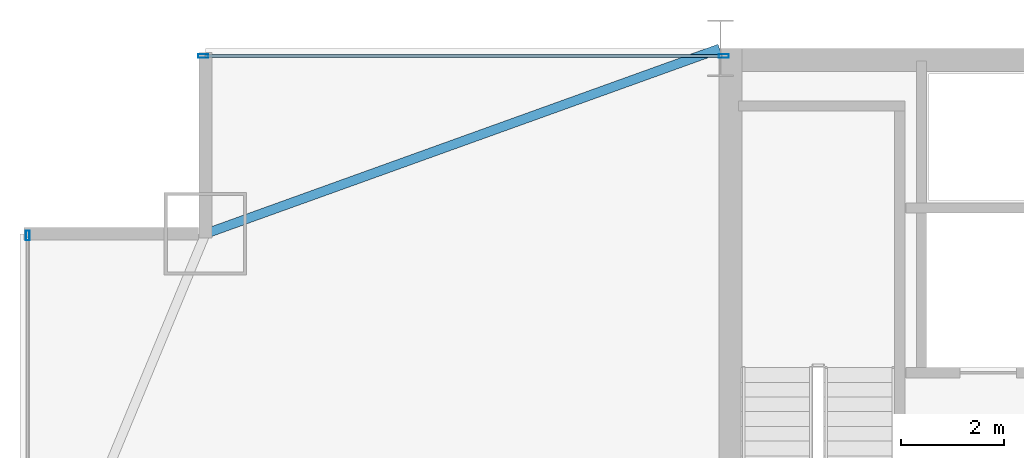
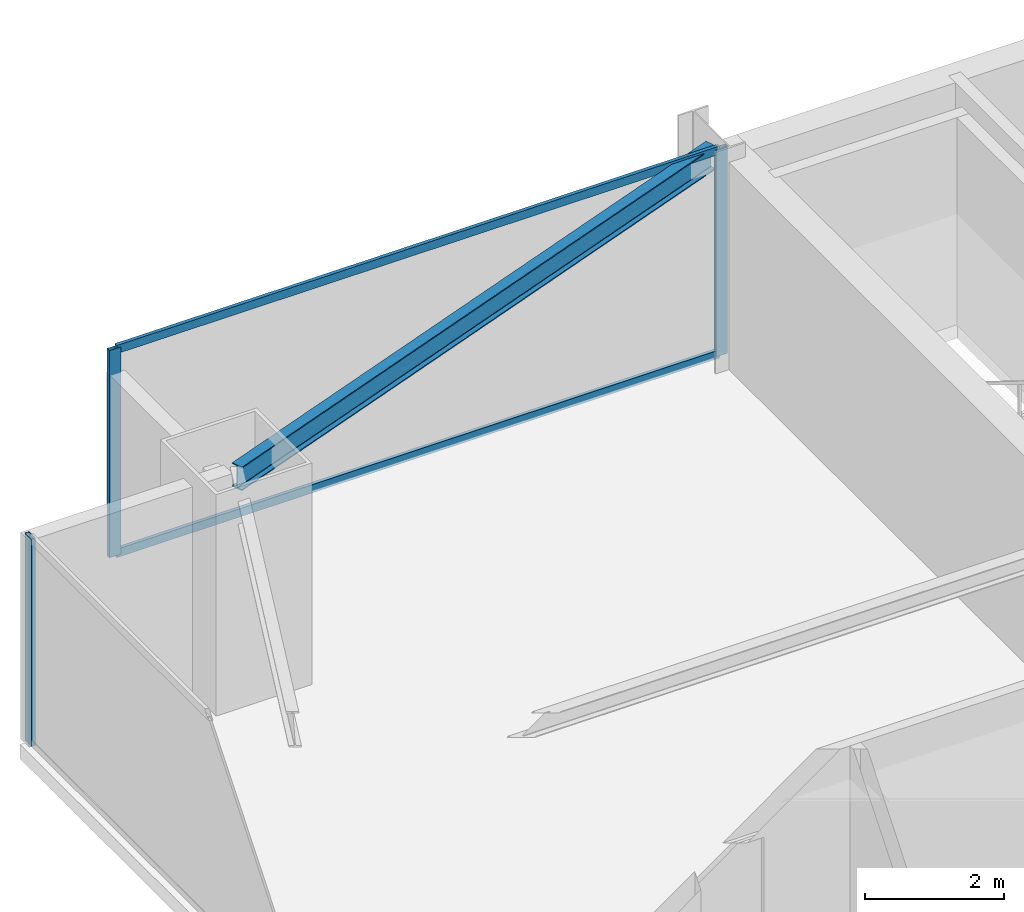
# One storey, part 22 of 32: 5 members, 1 beam, 2 elements without a shape of their own.
"""IFC4 building model written with IfcOpenShell, lengths in metres."""

from ifc_helpers import new_model, si_unit, direction, frame, origin, origin_2d, place, context, subcontext, project, spatial, hollow_rectangle, i_section, extrude, source, transform, mapped, material, layer, layer_set, material_profile, profile_set, type_object, type_shapes, element, aggregate, save


model = new_model("IFC4")

# Units and contexts
model_context = context("Model", 3, precision=1e-05, world=origin(), true_north=direction((0.0, 1.0)))
body_context = subcontext(model_context, "Body", "Model", "MODEL_VIEW")
ifc_project = project(units=[si_unit("LENGTHUNIT", "METRE"), si_unit("AREAUNIT", "SQUARE_METRE"), si_unit("VOLUMEUNIT", "CUBIC_METRE"), si_unit("PLANEANGLEUNIT", "RADIAN"), si_unit("MASSUNIT", "GRAM", prefix="KILO")], contexts=[model_context])

# Site, building, storey
site_placement = place(None, origin())
site = spatial("IfcSite", under=ifc_project, at=site_placement, CompositionType="ELEMENT")
building_placement = place(site_placement, origin())
building = spatial("IfcBuilding", under=site, at=building_placement, Name="Varnel Quay Broadcast Tower", CompositionType="ELEMENT")
storey_placement = place(building_placement, frame((0.0, 0.0, 70.5)))
storey = spatial("IfcBuildingStorey", under=building, at=storey_placement, Name="L16", CompositionType="ELEMENT", Elevation=70.5)

# Beam
ifc_material_1 = material(Name="Structural Steel CSA G40.21 350W", Category="steel")
ifc_material_profile_1 = material_profile(ifc_material_1, i_section(OverallWidth=0.180908203125, OverallDepth=0.4169921875, WebThickness=0.010986328125, FlangeThickness=0.018310546875, FilletRadius=0.011962890625, at=origin_2d()), Name="W410X85")
ifc_profile_set_1 = profile_set([ifc_material_profile_1], Name="Structural Steel CSA G40.21 350W")
beam_type = type_object("IfcBeamType", Name="Beam_W410X85", PredefinedType="SPANDREL", material=ifc_profile_set_1)
shared_shape_1 = source(origin(), body_context, "Body", "SweptSolid", [
    extrude(i_section(OverallWidth=0.180908203125, OverallDepth=0.4169921875, WebThickness=0.010986328125, FlangeThickness=0.018310546875, FilletRadius=0.011962890625, at=origin_2d()), origin(), (0.0, 0.0, 1.0), 10.58837890625),
])
type_shapes(beam_type, [shared_shape_1])
beam_placement = place(storey_placement, frame((5.618896484375, 43.206787109375, 3.44140625), z_axis=(0.940888587605, 0.338716202321, 0.0), x_axis=(-0.338716202321, 0.940888587605, 0.0)))
element("IfcBeam", 1, at=beam_placement, inside=storey, type_object=beam_type, Name="L16 NW Tie Spandrel", PredefinedType="SPANDREL", context=body_context, shape_type="MappedRepresentation", body=[
    mapped(shared_shape_1, transform((0.0, 0.0, 0.0), x_axis=(1.0, 0.0, 0.0), y_axis=(0.0, 1.0, 0.0), z_axis=(0.0, 0.0, 1.0), scale=1.0)),
])

# Curtain wall, member
ifc_material_2 = material(Name="Anodised Bronze Aluminium 6063-T6", Category="aluminium")
ifc_layer = layer(ifc_material_2, 0.18994140625, Name="Anodised Bronze Aluminium 6063-T6")
ifc_layer_set = layer_set([ifc_layer], Name="Anodised Bronze Aluminium 6063-T6")
curtain_wall_type = type_object("IfcCurtainWallType", Name="CW_LowerTower", PredefinedType="NOTDEFINED", material=ifc_layer_set)
curtain_wall_1_placement = place(storey_placement, origin())
curtain_wall_1 = element("IfcCurtainWall", 2, at=curtain_wall_1_placement, inside=storey, type_object=curtain_wall_type, Name="L16 West Unitised Curtain Wall", PredefinedType="NOTDEFINED")
ifc_material_profile_2 = material_profile(ifc_material_2, hollow_rectangle(XDim=0.070068359375, YDim=0.18994140625, WallThickness=0.00390625, at=origin_2d()), Name="ALU70X190X4")
ifc_profile_set_2 = profile_set([ifc_material_profile_2], Name="Anodised Bronze Aluminium 6063-T6")
member_type_1 = type_object("IfcMemberType", Name="Mull_CWS-02", PredefinedType="MULLION", material=ifc_profile_set_2)
shared_shape_2 = source(origin(), body_context, "Body", "SweptSolid", [
    extrude(hollow_rectangle(XDim=0.070068359375, YDim=0.18994140625, WallThickness=0.00390625, at=origin_2d()), origin(), (0.0, 0.0, 1.0), 3.64990234375),
])
type_shapes(member_type_1, [shared_shape_2])
member_1_placement = place(storey_placement, frame((2.14990234375, 43.1650390625, 0.0), z_axis=(0.0, 0.0, 1.0), x_axis=(-1.0, 0.0, 0.0)))
member_1 = element("IfcMember", 3, at=member_1_placement, type_object=member_type_1, Name="CWS-02 mullion 4", PredefinedType="MULLION", context=body_context, shape_type="MappedRepresentation", body=[
    mapped(shared_shape_2, transform((0.0, 0.0, 0.0), x_axis=(1.0, 0.0, 0.0), y_axis=(0.0, 1.0, 0.0), z_axis=(0.0, 0.0, 1.0), scale=1.0)),
])
aggregate(curtain_wall_1, [member_1])

# Curtain wall, members
curtain_wall_2_placement = place(storey_placement, origin())
curtain_wall_2 = element("IfcCurtainWall", 4, at=curtain_wall_2_placement, inside=storey, type_object=curtain_wall_type, Name="L16 NW Wing Curtain Wall", PredefinedType="NOTDEFINED")
member_2_placement = place(storey_placement, frame((5.554931640625, 46.64990234375, 0.0), z_axis=(0.0, 0.0, 1.0), x_axis=(0.0, 1.0, 0.0)))
member_2 = element("IfcMember", 5, at=member_2_placement, type_object=member_type_1, Name="CWS-02 mullion 1", PredefinedType="MULLION", context=body_context, shape_type="MappedRepresentation", body=[
    mapped(shared_shape_2, transform((0.0, 0.0, 0.0), x_axis=(1.0, 0.0, 0.0), y_axis=(0.0, 1.0, 0.0), z_axis=(0.0, 0.0, 1.0), scale=1.0)),
])
member_3_placement = place(storey_placement, frame((15.6650390625, 46.64990234375, 0.0), z_axis=(0.0, 0.0, 1.0), x_axis=(0.0, 1.0, 0.0)))
member_3 = element("IfcMember", 6, at=member_3_placement, type_object=member_type_1, Name="CWS-02 mullion 2", PredefinedType="MULLION", context=body_context, shape_type="MappedRepresentation", body=[
    mapped(shared_shape_2, transform((0.0, 0.0, 0.0), x_axis=(1.0, 0.0, 0.0), y_axis=(0.0, 1.0, 0.0), z_axis=(0.0, 0.0, 1.0), scale=1.0)),
])
ifc_material_profile_3 = material_profile(ifc_material_2, hollow_rectangle(XDim=0.06005859375, YDim=0.14501953125, WallThickness=0.00341796875, at=origin_2d()), Name="ALU60X145X3.5")
ifc_profile_set_3 = profile_set([ifc_material_profile_3], Name="Anodised Bronze Aluminium 6063-T6")
member_type_2 = type_object("IfcMemberType", Name="Tran_CWS-02", PredefinedType="USERDEFINED", material=ifc_profile_set_3)
shared_shape_3 = source(origin(), body_context, "Body", "SweptSolid", [
    extrude(hollow_rectangle(XDim=0.06005859375, YDim=0.14501953125, WallThickness=0.00341796875, at=origin_2d()), origin(), (0.0, 0.0, 1.0), 10.039794921875),
])
type_shapes(member_type_2, [shared_shape_3])
member_4_placement = place(storey_placement, frame((5.590087890625, 46.64990234375, 0.030029296875), z_axis=(1.0, 0.0, 0.0), x_axis=(0.0, 1.0, 0.0)))
member_4 = element("IfcMember", 7, at=member_4_placement, type_object=member_type_2, Name="CWS-02 transom 1.1", ObjectType="TRANSOM", PredefinedType="USERDEFINED", context=body_context, shape_type="MappedRepresentation", body=[
    mapped(shared_shape_3, transform((0.0, 0.0, 0.0), x_axis=(1.0, 0.0, 0.0), y_axis=(0.0, 1.0, 0.0), z_axis=(0.0, 0.0, 1.0), scale=1.0)),
])
member_5_placement = place(storey_placement, frame((5.590087890625, 46.64990234375, 3.6201171875), z_axis=(1.0, 0.0, 0.0), x_axis=(0.0, 1.0, 0.0)))
member_5 = element("IfcMember", 8, at=member_5_placement, type_object=member_type_2, Name="CWS-02 transom 1.2", ObjectType="TRANSOM", PredefinedType="USERDEFINED", context=body_context, shape_type="MappedRepresentation", body=[
    mapped(shared_shape_3, transform((0.0, 0.0, 0.0), x_axis=(1.0, 0.0, 0.0), y_axis=(0.0, 1.0, 0.0), z_axis=(0.0, 0.0, 1.0), scale=1.0)),
])
aggregate(curtain_wall_2, [member_2, member_3, member_4, member_5])

save(model, "model.ifc")
